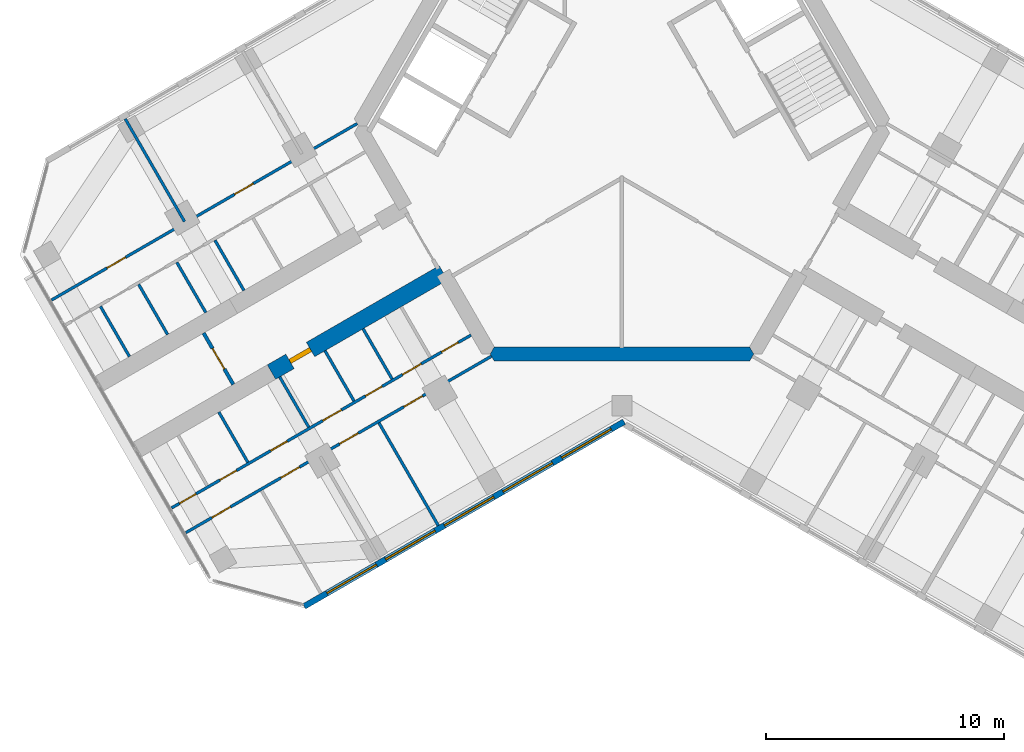
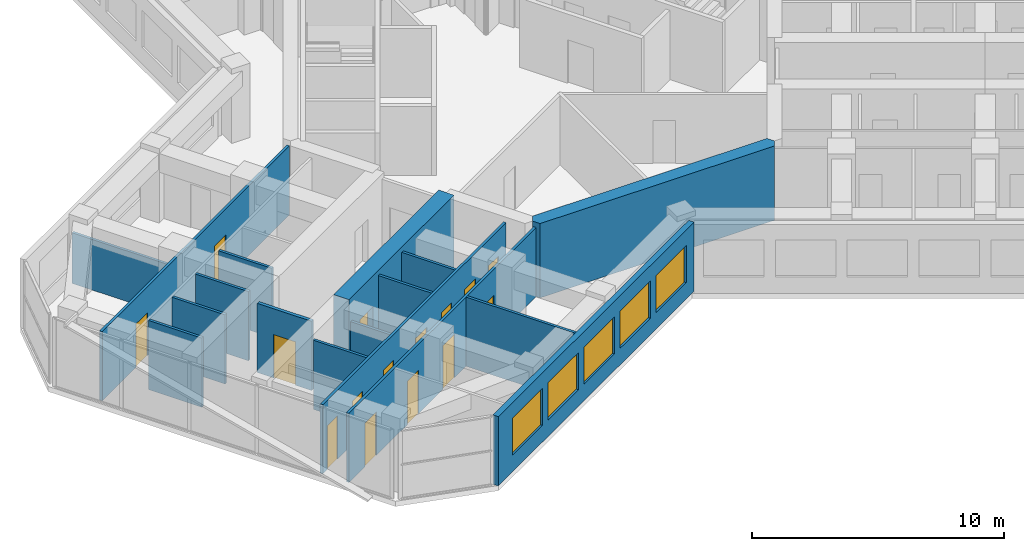
# One storey, part 8 of 16: 17 walls, 15 doors, 5 windows, 20 openings.
"""IFC4 building model written with IfcOpenShell, lengths in metres."""

from ifc_helpers import new_model, si_unit, direction, frame, frame_2d, origin, place, context, subcontext, project, spatial, polyline, rectangle, outline, extrude, material, layer, layer_set, type_object, element, fill, save


model = new_model("IFC4")

# Units and contexts
model_context = context("Model", 3, precision=1e-05, world=origin(), true_north=direction((0.0, 1.0)))
body_context = subcontext(model_context, "Body", "Model", "MODEL_VIEW")
ifc_project = project(units=[si_unit("LENGTHUNIT", "METRE"), si_unit("AREAUNIT", "SQUARE_METRE"), si_unit("VOLUMEUNIT", "CUBIC_METRE"), si_unit("PLANEANGLEUNIT", "RADIAN"), si_unit("MASSUNIT", "GRAM", prefix="KILO")], contexts=[model_context])

# Site, building, storey
site_placement = place(None, origin())
site = spatial("IfcSite", under=ifc_project, at=site_placement, CompositionType="ELEMENT")
building_placement = place(site_placement, origin())
building = spatial("IfcBuilding", under=site, at=building_placement, Name="Kosmar Iwan School Tower", CompositionType="ELEMENT")
storey_placement = place(building_placement, frame((0.0, 0.0, 235.199951171875)))
storey = spatial("IfcBuildingStorey", under=building, at=storey_placement, Name="L59", CompositionType="ELEMENT", Elevation=235.199951171875)

# Wall
ifc_material_1 = material(Name="Concrete C50/60", Category="concrete")
ifc_layer_1 = layer(ifc_material_1, 0.60009765625)
ifc_layer_set_1 = layer_set([ifc_layer_1], Name="Core wall 600")
wall_type_1 = type_object("IfcWallType", Name="Core wall 600", PredefinedType="SHEAR", material=ifc_layer_set_1)
wall_1_placement = place(storey_placement, origin())
element("IfcWall", 1, at=wall_1_placement, inside=storey, type_object=wall_type_1, Name="Core wall F270", PredefinedType="SHEAR", context=body_context, shape_type="SweptSolid", body=[
    extrude(outline(polyline([(-5.369384765625, -9.89990234375), (5.369384765625, -9.89990234375), (5.54248046875, -9.60009765625), (5.369384765625, -9.300048828125), (-5.369384765625, -9.300048828125), (-5.54248046875, -9.60009765625), (-5.369384765625, -9.89990234375)])), origin(), (0.0, 0.0, 1.0), 3.60009765625),
])

# Wall, opening, door
ifc_material_2 = material(Name="Concrete C50/60", Category="concrete")
ifc_layer_2 = layer(ifc_material_2, 0.699951171875)
ifc_layer_set_2 = layer_set([ifc_layer_2], Name="Corridor buttress wall 700")
wall_type_2 = type_object("IfcWallType", Name="Corridor buttress wall 700", PredefinedType="SHEAR", material=ifc_layer_set_2)
wall_2_placement = place(storey_placement, frame((-7.513916015625, -6.185546875, 0.0), z_axis=(0.0, 0.0, 1.0), x_axis=(-0.866019549707, -0.500010139422, 0.0)))
wall_2 = element("IfcWall", 2, at=wall_2_placement, inside=storey, type_object=wall_type_2, Name="Corridor wall BL", PredefinedType="SHEAR", context=body_context, shape_type="SweptSolid", body=[
    extrude(rectangle(XDim=8.349853515625, YDim=0.699951171875, at=frame_2d((4.1748046875, 0.0))), origin(), (0.0, 0.0, 1.0), 3.60009765625),
])
opening_1_placement = place(wall_2_placement, frame((6.449951171875, 0.0, 0.0)))
opening_1 = element("IfcOpeningElement", 3, at=opening_1_placement, cuts=wall_2, Name="Opening D1", PredefinedType="OPENING", context=body_context, shape_type="SweptSolid", body=[
    extrude(rectangle(XDim=1.0, YDim=2.10009765625, at=frame_2d((0.5, 1.050048828125))), frame((0.0, 0.362060546875, 0.0), z_axis=(0.0, -1.0, 0.0), x_axis=(1.0, 0.0, 0.0)), (0.0, 0.0, 1.0), 0.723876953125),
])
ifc_material_3 = material(Name="Timber fire door in steel frame", Category="steel")
door_type_1 = type_object("IfcDoorType", Name="Flat entrance door 1000x2100", OperationType="SINGLE_SWING_LEFT", PredefinedType="DOOR", material=ifc_material_3)
door_1_placement = place(opening_1_placement, origin())
door_1 = element("IfcDoor", 4, at=door_1_placement, inside=storey, type_object=door_type_1, Name="Flat L59-BL1 entrance door", OperationType="SINGLE_SWING_LEFT", OverallHeight=2.10009765625, OverallWidth=1.0, PredefinedType="DOOR", context=body_context, shape_type="SweptSolid", body=[
    extrude(rectangle(XDim=1.0, YDim=2.10009765625, at=frame_2d((0.5, 1.050048828125))), frame((0.0, 0.10009765625, 0.0), z_axis=(0.0, -1.0, 0.0), x_axis=(1.0, 0.0, 0.0)), (0.0, 0.0, 1.0), 0.199951171875),
])
fill(opening_1, door_1)

ifc_material_4 = material(Name="Gypsum board on steel studs, fire-rated", Category="steel")
ifc_layer_3 = layer(ifc_material_4, 0.14990234375)
ifc_layer_set_3 = layer_set([ifc_layer_3], Name="Corridor end wall 150")
wall_type_3 = type_object("IfcWallType", Name="Corridor end wall 150", PredefinedType="PARTITIONING", material=ifc_layer_set_3)
wall_3_placement = place(storey_placement, frame((-17.59912109375, -8.717529296875, 0.0), z_axis=(0.0, 0.0, 1.0), x_axis=(0.500004234368, -0.866022959057, 0.0)))
wall_3 = element("IfcWall", 5, at=wall_3_placement, inside=storey, type_object=wall_type_3, Name="Partition L59-B-CE", PredefinedType="PARTITIONING", context=body_context, shape_type="SweptSolid", body=[
    extrude(rectangle(XDim=2.5, YDim=0.14990234375, at=frame_2d((1.25, 0.0))), origin(), (0.0, 0.0, 1.0), 3.35009765625),
])
opening_2_placement = place(wall_3_placement, frame((0.75, 0.0, 0.0)))
opening_2 = element("IfcOpeningElement", 6, at=opening_2_placement, cuts=wall_3, Name="Opening D13", PredefinedType="OPENING", context=body_context, shape_type="SweptSolid", body=[
    extrude(rectangle(XDim=1.0, YDim=2.10009765625, at=frame_2d((0.5, 1.050048828125))), frame((0.0, 0.0869140625, 0.0), z_axis=(0.0, -1.0, 0.0), x_axis=(1.0, 0.0, 0.0)), (0.0, 0.0, 1.0), 0.173828125),
])
ifc_material_5 = material(Name="Timber fire door with vision panel", Category="wood")
door_type_2 = type_object("IfcDoorType", Name="Corridor end door 1000x2100", OperationType="SINGLE_SWING_LEFT", PredefinedType="DOOR", material=ifc_material_5)
door_2_placement = place(opening_2_placement, origin())
door_2 = element("IfcDoor", 7, at=door_2_placement, inside=storey, type_object=door_type_2, Name="Hobby workshop door L59-B", OperationType="SINGLE_SWING_RIGHT", OverallHeight=2.10009765625, OverallWidth=1.0, PredefinedType="DOOR", context=body_context, shape_type="SweptSolid", body=[
    extrude(rectangle(XDim=1.0, YDim=2.10009765625, at=frame_2d((0.5, 1.050048828125))), frame((0.0, 0.02490234375, 0.0), z_axis=(0.0, -1.0, 0.0), x_axis=(1.0, 0.0, 0.0)), (0.0, 0.0, 1.0), 0.050048828125),
])
fill(opening_2, door_2)

# Wall, openings, doors
ifc_material_6 = material(Name="Gypsum board on steel studs", Category="steel")
ifc_layer_4 = layer(ifc_material_6, 0.1201171875)
ifc_layer_set_4 = layer_set([ifc_layer_4], Name="Dwelling partition 120")
wall_type_4 = type_object("IfcWallType", Name="Dwelling partition 120", PredefinedType="PARTITIONING", material=ifc_layer_set_4)
wall_4_placement = place(storey_placement, frame((-6.3486328125, -8.8037109375, 0.0), z_axis=(0.0, 0.0, 1.0), x_axis=(-0.866020949409, -0.500007715126, 0.0)))
wall_4 = element("IfcWall", 8, at=wall_4_placement, inside=storey, type_object=wall_type_4, Name="Partition L59-BL1-W1", PredefinedType="PARTITIONING", context=body_context, shape_type="SweptSolid", body=[
    extrude(rectangle(XDim=14.545166015625, YDim=0.1201171875, at=frame_2d((7.2724609375, 0.0))), origin(), (0.0, 0.0, 1.0), 3.35009765625),
])
opening_3_placement = place(wall_4_placement, frame((0.625, 0.0, 0.0)))
opening_3 = element("IfcOpeningElement", 9, at=opening_3_placement, cuts=wall_4, Name="Opening D3", PredefinedType="OPENING", context=body_context, shape_type="SweptSolid", body=[
    extrude(rectangle(XDim=0.800048828125, YDim=2.10009765625, at=frame_2d((0.39990234375, 1.050048828125))), frame((0.0, 0.072021484375, 0.0), z_axis=(0.0, -1.0, 0.0), x_axis=(1.0, 0.0, 0.0)), (0.0, 0.0, 1.0), 0.14404296875),
])
opening_4_placement = place(wall_4_placement, frame((2.425048828125, 0.0, 0.0)))
opening_4 = element("IfcOpeningElement", 10, at=opening_4_placement, cuts=wall_4, Name="Opening D2", PredefinedType="OPENING", context=body_context, shape_type="SweptSolid", body=[
    extrude(rectangle(XDim=0.89990234375, YDim=2.10009765625, at=frame_2d((0.449951171875, 1.050048828125))), frame((0.0, 0.072021484375, 0.0), z_axis=(0.0, -1.0, 0.0), x_axis=(1.0, 0.0, 0.0)), (0.0, 0.0, 1.0), 0.14404296875),
])
opening_5_placement = place(wall_4_placement, frame((4.324951171875, 0.0, 0.0)))
opening_5 = element("IfcOpeningElement", 11, at=opening_5_placement, cuts=wall_4, Name="Opening D3", PredefinedType="OPENING", context=body_context, shape_type="SweptSolid", body=[
    extrude(rectangle(XDim=0.800048828125, YDim=2.10009765625, at=frame_2d((0.39990234375, 1.050048828125))), frame((0.0, 0.072021484375, 0.0), z_axis=(0.0, -1.0, 0.0), x_axis=(1.0, 0.0, 0.0)), (0.0, 0.0, 1.0), 0.14404296875),
])
opening_6_placement = place(wall_4_placement, frame((6.300048828125, 0.0, 0.0)))
opening_6 = element("IfcOpeningElement", 12, at=opening_6_placement, cuts=wall_4, Name="Opening D2", PredefinedType="OPENING", context=body_context, shape_type="SweptSolid", body=[
    extrude(rectangle(XDim=0.89990234375, YDim=2.10009765625, at=frame_2d((0.449951171875, 1.050048828125))), frame((0.0, 0.072021484375, 0.0), z_axis=(0.0, -1.0, 0.0), x_axis=(1.0, 0.0, 0.0)), (0.0, 0.0, 1.0), 0.14404296875),
])
opening_7_placement = place(wall_4_placement, frame((8.928466796875, 0.0, 0.0)))
opening_7 = element("IfcOpeningElement", 13, at=opening_7_placement, cuts=wall_4, Name="Opening D3", PredefinedType="OPENING", context=body_context, shape_type="SweptSolid", body=[
    extrude(rectangle(XDim=0.800048828125, YDim=2.10009765625, at=frame_2d((0.39990234375, 1.050048828125))), frame((0.0, 0.072021484375, 0.0), z_axis=(0.0, -1.0, 0.0), x_axis=(1.0, 0.0, 0.0)), (0.0, 0.0, 1.0), 0.14404296875),
])
opening_8_placement = place(wall_4_placement, frame((11.392822265625, 0.0, 0.0)))
opening_8 = element("IfcOpeningElement", 14, at=opening_8_placement, cuts=wall_4, Name="Opening D3", PredefinedType="OPENING", context=body_context, shape_type="SweptSolid", body=[
    extrude(rectangle(XDim=0.800048828125, YDim=2.10009765625, at=frame_2d((0.39990234375, 1.050048828125))), frame((0.0, 0.072021484375, 0.0), z_axis=(0.0, -1.0, 0.0), x_axis=(1.0, 0.0, 0.0)), (0.0, 0.0, 1.0), 0.14404296875),
])
opening_9_placement = place(wall_4_placement, frame((13.3642578125, 0.0, 0.0)))
opening_9 = element("IfcOpeningElement", 15, at=opening_9_placement, cuts=wall_4, Name="Opening D3", PredefinedType="OPENING", context=body_context, shape_type="SweptSolid", body=[
    extrude(rectangle(XDim=0.800048828125, YDim=2.10009765625, at=frame_2d((0.39990234375, 1.050048828125))), frame((0.0, 0.072021484375, 0.0), z_axis=(0.0, -1.0, 0.0), x_axis=(1.0, 0.0, 0.0)), (0.0, 0.0, 1.0), 0.14404296875),
])
ifc_material_7 = material(Name="Timber door in timber frame", Category="wood")
door_type_3 = type_object("IfcDoorType", Name="Internal door 900x2100", OperationType="SINGLE_SWING_LEFT", PredefinedType="DOOR", material=ifc_material_7)
door_3_placement = place(opening_4_placement, origin())
door_3 = element("IfcDoor", 16, at=door_3_placement, inside=storey, type_object=door_type_3, Name="Pantry door L59-BL1-S2", OperationType="SINGLE_SWING_RIGHT", OverallHeight=2.10009765625, OverallWidth=0.89990234375, PredefinedType="DOOR", context=body_context, shape_type="SweptSolid", body=[
    extrude(rectangle(XDim=0.89990234375, YDim=2.10009765625, at=frame_2d((0.449951171875, 1.050048828125))), frame((0.0, 0.02490234375, 0.0), z_axis=(0.0, -1.0, 0.0), x_axis=(1.0, 0.0, 0.0)), (0.0, 0.0, 1.0), 0.050048828125),
])
fill(opening_4, door_3)
door_4_placement = place(opening_6_placement, origin())
door_4 = element("IfcDoor", 17, at=door_4_placement, inside=storey, type_object=door_type_3, Name="Entrance hall door L59-BL1-S4", OperationType="SINGLE_SWING_LEFT", OverallHeight=2.10009765625, OverallWidth=0.89990234375, PredefinedType="DOOR", context=body_context, shape_type="SweptSolid", body=[
    extrude(rectangle(XDim=0.89990234375, YDim=2.10009765625, at=frame_2d((0.449951171875, 1.050048828125))), frame((0.0, 0.02490234375, 0.0), z_axis=(0.0, -1.0, 0.0), x_axis=(1.0, 0.0, 0.0)), (0.0, 0.0, 1.0), 0.050048828125),
])
fill(opening_6, door_4)
ifc_material_8 = material(Name="Timber door in timber frame", Category="wood")
door_type_4 = type_object("IfcDoorType", Name="Sanitary room door 800x2100", OperationType="SINGLE_SWING_LEFT", PredefinedType="DOOR", material=ifc_material_8)
door_5_placement = place(opening_3_placement, origin())
door_5 = element("IfcDoor", 18, at=door_5_placement, inside=storey, type_object=door_type_4, Name="Store door L59-BL1-S1", OperationType="SINGLE_SWING_LEFT", OverallHeight=2.10009765625, OverallWidth=0.800048828125, PredefinedType="DOOR", context=body_context, shape_type="SweptSolid", body=[
    extrude(rectangle(XDim=0.800048828125, YDim=2.10009765625, at=frame_2d((0.39990234375, 1.050048828125))), frame((0.0, 0.02490234375, 0.0), z_axis=(0.0, -1.0, 0.0), x_axis=(1.0, 0.0, 0.0)), (0.0, 0.0, 1.0), 0.050048828125),
])
fill(opening_3, door_5)
door_6_placement = place(opening_5_placement, origin())
door_6 = element("IfcDoor", 19, at=door_6_placement, inside=storey, type_object=door_type_4, Name="Grandparents' shower room door L59-BL1-S3", OperationType="SINGLE_SWING_LEFT", OverallHeight=2.10009765625, OverallWidth=0.800048828125, PredefinedType="DOOR", context=body_context, shape_type="SweptSolid", body=[
    extrude(rectangle(XDim=0.800048828125, YDim=2.10009765625, at=frame_2d((0.39990234375, 1.050048828125))), frame((0.0, 0.02490234375, 0.0), z_axis=(0.0, -1.0, 0.0), x_axis=(1.0, 0.0, 0.0)), (0.0, 0.0, 1.0), 0.050048828125),
])
fill(opening_5, door_6)
door_7_placement = place(opening_7_placement, origin())
door_7 = element("IfcDoor", 20, at=door_7_placement, inside=storey, type_object=door_type_4, Name="Bathroom door L59-BL1-S5", OperationType="SINGLE_SWING_RIGHT", OverallHeight=2.10009765625, OverallWidth=0.800048828125, PredefinedType="DOOR", context=body_context, shape_type="SweptSolid", body=[
    extrude(rectangle(XDim=0.800048828125, YDim=2.10009765625, at=frame_2d((0.39990234375, 1.050048828125))), frame((0.0, 0.02490234375, 0.0), z_axis=(0.0, -1.0, 0.0), x_axis=(1.0, 0.0, 0.0)), (0.0, 0.0, 1.0), 0.050048828125),
])
fill(opening_7, door_7)
door_8_placement = place(opening_8_placement, origin())
door_8 = element("IfcDoor", 21, at=door_8_placement, inside=storey, type_object=door_type_4, Name="Shower room door L59-BL1-S6", OperationType="SINGLE_SWING_RIGHT", OverallHeight=2.10009765625, OverallWidth=0.800048828125, PredefinedType="DOOR", context=body_context, shape_type="SweptSolid", body=[
    extrude(rectangle(XDim=0.800048828125, YDim=2.10009765625, at=frame_2d((0.39990234375, 1.050048828125))), frame((0.0, 0.02490234375, 0.0), z_axis=(0.0, -1.0, 0.0), x_axis=(1.0, 0.0, 0.0)), (0.0, 0.0, 1.0), 0.050048828125),
])
fill(opening_8, door_8)
door_9_placement = place(opening_9_placement, origin())
door_9 = element("IfcDoor", 22, at=door_9_placement, inside=storey, type_object=door_type_4, Name="WC door L59-BL1-S7", OperationType="SINGLE_SWING_RIGHT", OverallHeight=2.10009765625, OverallWidth=0.800048828125, PredefinedType="DOOR", context=body_context, shape_type="SweptSolid", body=[
    extrude(rectangle(XDim=0.800048828125, YDim=2.10009765625, at=frame_2d((0.39990234375, 1.050048828125))), frame((0.0, 0.02490234375, 0.0), z_axis=(0.0, -1.0, 0.0), x_axis=(1.0, 0.0, 0.0)), (0.0, 0.0, 1.0), 0.050048828125),
])
fill(opening_9, door_9)

wall_5_placement = place(storey_placement, frame((-5.48876953125, -9.693115234375, 0.0), z_axis=(0.0, 0.0, 1.0), x_axis=(-0.866030301974, -0.499991515992, 0.0)))
wall_5 = element("IfcWall", 23, at=wall_5_placement, inside=storey, type_object=wall_type_4, Name="Partition L59-BL1-W2", PredefinedType="PARTITIONING", context=body_context, shape_type="SweptSolid", body=[
    extrude(rectangle(XDim=14.844970703125, YDim=0.1201171875, at=frame_2d((7.42236328125, 0.0))), origin(), (0.0, 0.0, 1.0), 3.35009765625),
])
opening_10_placement = place(wall_5_placement, frame((3.35009765625, 0.0, 0.0)))
opening_10 = element("IfcOpeningElement", 24, at=opening_10_placement, cuts=wall_5, Name="Opening D2", PredefinedType="OPENING", context=body_context, shape_type="SweptSolid", body=[
    extrude(rectangle(XDim=0.89990234375, YDim=2.10009765625, at=frame_2d((0.449951171875, 1.050048828125))), frame((0.0, 0.072021484375, 0.0), z_axis=(0.0, -1.0, 0.0), x_axis=(1.0, 0.0, 0.0)), (0.0, 0.0, 1.0), 0.14404296875),
])
opening_11_placement = place(wall_5_placement, frame((6.47509765625, 0.0, 0.0)))
opening_11 = element("IfcOpeningElement", 25, at=opening_11_placement, cuts=wall_5, Name="Opening D2", PredefinedType="OPENING", context=body_context, shape_type="SweptSolid", body=[
    extrude(rectangle(XDim=0.89990234375, YDim=2.10009765625, at=frame_2d((0.449951171875, 1.050048828125))), frame((0.0, 0.072021484375, 0.0), z_axis=(0.0, -1.0, 0.0), x_axis=(1.0, 0.0, 0.0)), (0.0, 0.0, 1.0), 0.14404296875),
])
opening_12_placement = place(wall_5_placement, frame((9.324951171875, 0.0, 0.0)))
opening_12 = element("IfcOpeningElement", 26, at=opening_12_placement, cuts=wall_5, Name="Opening D2", PredefinedType="OPENING", context=body_context, shape_type="SweptSolid", body=[
    extrude(rectangle(XDim=0.89990234375, YDim=2.10009765625, at=frame_2d((0.449951171875, 1.050048828125))), frame((0.0, 0.072021484375, 0.0), z_axis=(0.0, -1.0, 0.0), x_axis=(1.0, 0.0, 0.0)), (0.0, 0.0, 1.0), 0.14404296875),
])
opening_13_placement = place(wall_5_placement, frame((12.675048828125, 0.0, 0.0)))
opening_13 = element("IfcOpeningElement", 27, at=opening_13_placement, cuts=wall_5, Name="Opening D2", PredefinedType="OPENING", context=body_context, shape_type="SweptSolid", body=[
    extrude(rectangle(XDim=0.89990234375, YDim=2.10009765625, at=frame_2d((0.449951171875, 1.050048828125))), frame((0.0, 0.072021484375, 0.0), z_axis=(0.0, -1.0, 0.0), x_axis=(1.0, 0.0, 0.0)), (0.0, 0.0, 1.0), 0.14404296875),
])
door_10_placement = place(opening_10_placement, origin())
door_10 = element("IfcDoor", 28, at=door_10_placement, inside=storey, type_object=door_type_3, Name="Living room and kitchen door L59-BL1-F1", OperationType="SINGLE_SWING_RIGHT", OverallHeight=2.10009765625, OverallWidth=0.89990234375, PredefinedType="DOOR", context=body_context, shape_type="SweptSolid", body=[
    extrude(rectangle(XDim=0.89990234375, YDim=2.10009765625, at=frame_2d((0.449951171875, 1.050048828125))), frame((0.0, 0.02490234375, 0.0), z_axis=(0.0, -1.0, 0.0), x_axis=(1.0, 0.0, 0.0)), (0.0, 0.0, 1.0), 0.050048828125),
])
fill(opening_10, door_10)
door_11_placement = place(opening_11_placement, origin())
door_11 = element("IfcDoor", 29, at=door_11_placement, inside=storey, type_object=door_type_3, Name="Bedroom 1 door L59-BL1-F2", OperationType="SINGLE_SWING_LEFT", OverallHeight=2.10009765625, OverallWidth=0.89990234375, PredefinedType="DOOR", context=body_context, shape_type="SweptSolid", body=[
    extrude(rectangle(XDim=0.89990234375, YDim=2.10009765625, at=frame_2d((0.449951171875, 1.050048828125))), frame((0.0, 0.02490234375, 0.0), z_axis=(0.0, -1.0, 0.0), x_axis=(1.0, 0.0, 0.0)), (0.0, 0.0, 1.0), 0.050048828125),
])
fill(opening_11, door_11)
door_12_placement = place(opening_12_placement, origin())
door_12 = element("IfcDoor", 30, at=door_12_placement, inside=storey, type_object=door_type_3, Name="Grandparents' suite door L59-BL1-F3", OperationType="SINGLE_SWING_RIGHT", OverallHeight=2.10009765625, OverallWidth=0.89990234375, PredefinedType="DOOR", context=body_context, shape_type="SweptSolid", body=[
    extrude(rectangle(XDim=0.89990234375, YDim=2.10009765625, at=frame_2d((0.449951171875, 1.050048828125))), frame((0.0, 0.02490234375, 0.0), z_axis=(0.0, -1.0, 0.0), x_axis=(1.0, 0.0, 0.0)), (0.0, 0.0, 1.0), 0.050048828125),
])
fill(opening_12, door_12)
door_13_placement = place(opening_13_placement, origin())
door_13 = element("IfcDoor", 31, at=door_13_placement, inside=storey, type_object=door_type_3, Name="Study door L59-BL1-F4", OperationType="SINGLE_SWING_RIGHT", OverallHeight=2.10009765625, OverallWidth=0.89990234375, PredefinedType="DOOR", context=body_context, shape_type="SweptSolid", body=[
    extrude(rectangle(XDim=0.89990234375, YDim=2.10009765625, at=frame_2d((0.449951171875, 1.050048828125))), frame((0.0, 0.02490234375, 0.0), z_axis=(0.0, -1.0, 0.0), x_axis=(1.0, 0.0, 0.0)), (0.0, 0.0, 1.0), 0.050048828125),
])
fill(opening_13, door_13)

# Walls
wall_6_placement = place(storey_placement, frame((-10.221923828125, -12.4951171875, 0.0), z_axis=(0.0, 0.0, 1.0), x_axis=(0.499996339024, -0.86602751744, 0.0)))
element("IfcWall", 32, at=wall_6_placement, inside=storey, type_object=wall_type_4, Name="Partition L59-BL1-X1", PredefinedType="PARTITIONING", context=body_context, shape_type="SweptSolid", body=[
    extrude(rectangle(XDim=4.98974609375, YDim=0.1201171875, at=frame_2d((2.494873046875, 0.0))), origin(), (0.0, 0.0, 1.0), 3.35009765625),
])
wall_7_placement = place(storey_placement, frame((-10.8896484375, -8.538818359375, 0.0), z_axis=(0.0, 0.0, 1.0), x_axis=(0.500077547548, -0.865980627057, 0.0)))
element("IfcWall", 33, at=wall_7_placement, inside=storey, type_object=wall_type_4, Name="Partition L59-BL1-Y2", PredefinedType="PARTITIONING", context=body_context, shape_type="SweptSolid", body=[
    extrude(rectangle(XDim=2.43994140625, YDim=0.1201171875, at=frame_2d((1.219970703125, 0.0))), origin(), (0.0, 0.0, 1.0), 3.35009765625),
])
wall_8_placement = place(storey_placement, frame((-12.49169921875, -9.463623046875, 0.0), z_axis=(0.0, 0.0, 1.0), x_axis=(0.499959183527, -0.866048967903, 0.0)))
element("IfcWall", 34, at=wall_8_placement, inside=storey, type_object=wall_type_4, Name="Partition L59-BL1-Y3", PredefinedType="PARTITIONING", context=body_context, shape_type="SweptSolid", body=[
    extrude(rectangle(XDim=2.440185546875, YDim=0.1201171875, at=frame_2d((1.22021484375, 0.0))), origin(), (0.0, 0.0, 1.0), 3.35009765625),
])
wall_9_placement = place(storey_placement, frame((-14.39697265625, -10.563720703125, 0.0), z_axis=(0.0, 0.0, 1.0), x_axis=(0.500002508028, -0.866023955769, 0.0)))
element("IfcWall", 35, at=wall_9_placement, inside=storey, type_object=wall_type_4, Name="Partition L59-BL1-Y4", PredefinedType="PARTITIONING", context=body_context, shape_type="SweptSolid", body=[
    extrude(rectangle(XDim=2.43994140625, YDim=0.1201171875, at=frame_2d((1.219970703125, 0.0))), origin(), (0.0, 0.0, 1.0), 2.449951171875),
])
wall_10_placement = place(storey_placement, frame((-16.9580078125, -12.042236328125, 0.0), z_axis=(0.0, 0.0, 1.0), x_axis=(0.500034220881, -0.866005645448, 0.0)))
element("IfcWall", 36, at=wall_10_placement, inside=storey, type_object=wall_type_4, Name="Partition L59-BL1-Y5", PredefinedType="PARTITIONING", context=body_context, shape_type="SweptSolid", body=[
    extrude(rectangle(XDim=2.440185546875, YDim=0.1201171875, at=frame_2d((1.22021484375, 0.0))), origin(), (0.0, 0.0, 1.0), 3.35009765625),
])

# Wall, openings, doors
wall_11_placement = place(storey_placement, frame((-11.138916015625, 0.093017578125, 0.0), z_axis=(0.0, 0.0, 1.0), x_axis=(-0.866030301974, -0.499991515992, 0.0)))
wall_11 = element("IfcWall", 37, at=wall_11_placement, inside=storey, type_object=wall_type_4, Name="Partition L59-BR1-W2", PredefinedType="PARTITIONING", context=body_context, shape_type="SweptSolid", body=[
    extrude(rectangle(XDim=14.844970703125, YDim=0.1201171875, at=frame_2d((7.42236328125, 0.0))), origin(), (0.0, 0.0, 1.0), 3.35009765625),
])
opening_14_placement = place(wall_11_placement, frame((5.050048828125, 0.0, 0.0)))
opening_14 = element("IfcOpeningElement", 38, at=opening_14_placement, cuts=wall_11, Name="Opening D2", PredefinedType="OPENING", context=body_context, shape_type="SweptSolid", body=[
    extrude(rectangle(XDim=0.89990234375, YDim=2.10009765625, at=frame_2d((0.449951171875, 1.050048828125))), frame((0.0, 0.072021484375, 0.0), z_axis=(0.0, -1.0, 0.0), x_axis=(1.0, 0.0, 0.0)), (0.0, 0.0, 1.0), 0.14404296875),
])
opening_15_placement = place(wall_11_placement, frame((11.25, 0.0, 0.0)))
opening_15 = element("IfcOpeningElement", 39, at=opening_15_placement, cuts=wall_11, Name="Opening D2", PredefinedType="OPENING", context=body_context, shape_type="SweptSolid", body=[
    extrude(rectangle(XDim=0.89990234375, YDim=2.10009765625, at=frame_2d((0.449951171875, 1.050048828125))), frame((0.0, 0.072021484375, 0.0), z_axis=(0.0, -1.0, 0.0), x_axis=(1.0, 0.0, 0.0)), (0.0, 0.0, 1.0), 0.14404296875),
])
door_14_placement = place(opening_14_placement, origin())
door_14 = element("IfcDoor", 40, at=door_14_placement, inside=storey, type_object=door_type_3, Name="Family room door L59-BR1-F2", OperationType="SINGLE_SWING_LEFT", OverallHeight=2.10009765625, OverallWidth=0.89990234375, PredefinedType="DOOR", context=body_context, shape_type="SweptSolid", body=[
    extrude(rectangle(XDim=0.89990234375, YDim=2.10009765625, at=frame_2d((0.449951171875, 1.050048828125))), frame((0.0, 0.02490234375, 0.0), z_axis=(0.0, -1.0, 0.0), x_axis=(1.0, 0.0, 0.0)), (0.0, 0.0, 1.0), 0.050048828125),
])
fill(opening_14, door_14)
door_15_placement = place(opening_15_placement, origin())
door_15 = element("IfcDoor", 41, at=door_15_placement, inside=storey, type_object=door_type_3, Name="Bedroom 1 door L59-BR1-F3", OperationType="SINGLE_SWING_RIGHT", OverallHeight=2.10009765625, OverallWidth=0.89990234375, PredefinedType="DOOR", context=body_context, shape_type="SweptSolid", body=[
    extrude(rectangle(XDim=0.89990234375, YDim=2.10009765625, at=frame_2d((0.449951171875, 1.050048828125))), frame((0.0, 0.02490234375, 0.0), z_axis=(0.0, -1.0, 0.0), x_axis=(1.0, 0.0, 0.0)), (0.0, 0.0, 1.0), 0.050048828125),
])
fill(opening_15, door_15)

# Walls
wall_12_placement = place(storey_placement, frame((-18.400146484375, -4.030029296875, 0.0), z_axis=(0.0, 0.0, 1.0), x_axis=(-0.500011847778, 0.866018563358, 0.0)))
element("IfcWall", 42, at=wall_12_placement, inside=storey, type_object=wall_type_4, Name="Partition L59-BR1-X2", PredefinedType="PARTITIONING", context=body_context, shape_type="SweptSolid", body=[
    extrude(rectangle(XDim=4.990234375, YDim=0.1201171875, at=frame_2d((2.4951171875, 0.0))), origin(), (0.0, 0.0, 1.0), 2.449951171875),
])
for number, where, z_axis, x_axis, name in (
    (43, (-15.900634765625, -6.928466796875, 0.0), (0.0, 0.0, 1.0), (-0.500002508028, 0.866023955769, 0.0), "Partition L59-BR1-Y3"),
    (44, (-17.506103515625, -7.85546875, 0.0), (0.0, 0.0, 1.0), (-0.500002508028, 0.866023955769, 0.0), "Partition L59-BR1-Y4"),
):
    element("IfcWall", number, at=place(storey_placement, frame(where, z_axis=z_axis, x_axis=x_axis)), inside=storey, type_object=wall_type_4, Name=name, PredefinedType="PARTITIONING", context=body_context, shape_type="SweptSolid", body=[
        extrude(rectangle(XDim=2.43994140625, YDim=0.1201171875, at=frame_2d((1.219970703125, 0.0))), origin(), (0.0, 0.0, 1.0), 3.35009765625),
    ])
wall_13_placement = place(storey_placement, frame((-19.111572265625, -8.782470703125, 0.0), z_axis=(0.0, 0.0, 1.0), x_axis=(-0.499959183527, 0.866048967903, 0.0)))
element("IfcWall", 45, at=wall_13_placement, inside=storey, type_object=wall_type_4, Name="Partition L59-BR1-Y5", PredefinedType="PARTITIONING", context=body_context, shape_type="SweptSolid", body=[
    extrude(rectangle(XDim=2.440185546875, YDim=0.1201171875, at=frame_2d((1.22021484375, 0.0))), origin(), (0.0, 0.0, 1.0), 3.35009765625),
])
wall_14_placement = place(storey_placement, frame((-20.717041015625, -9.709228515625, 0.0), z_axis=(0.0, 0.0, 1.0), x_axis=(-0.500002508028, 0.866023955769, 0.0)))
element("IfcWall", 46, at=wall_14_placement, inside=storey, type_object=wall_type_4, Name="Partition L59-BR1-Y6", PredefinedType="PARTITIONING", context=body_context, shape_type="SweptSolid", body=[
    extrude(rectangle(XDim=2.43994140625, YDim=0.1201171875, at=frame_2d((1.219970703125, 0.0))), origin(), (0.0, 0.0, 1.0), 3.35009765625),
])

# Wall, openings, windows
ifc_material_9 = material(Name="Black aluminium rainscreen on insulated framing", Category="aluminium")
ifc_layer_5 = layer(ifc_material_9, 0.25)
ifc_layer_set_5 = layer_set([ifc_layer_5], Name="External wall rainscreen 250")
wall_type_5 = type_object("IfcWallType", Name="External wall rainscreen 250", PredefinedType="SOLIDWALL", material=ifc_layer_set_5)
wall_15_placement = place(storey_placement, frame((0.088134765625, -12.44873046875, 0.0), z_axis=(0.0, 0.0, 1.0), x_axis=(-0.866029894971, -0.499992220956, 0.0)))
wall_15 = element("IfcWall", 47, at=wall_15_placement, inside=storey, type_object=wall_type_5, Name="External wall BL L59", PredefinedType="SOLIDWALL", context=body_context, shape_type="SweptSolid", body=[
    extrude(rectangle(XDim=15.537353515625, YDim=0.25, at=frame_2d((7.7685546875, 0.0))), origin(), (0.0, 0.0, 1.0), 3.35009765625),
])
opening_16_placement = place(wall_15_placement, frame((0.626953125, 0.0, 0.800048828125)))
opening_16 = element("IfcOpeningElement", 48, at=opening_16_placement, cuts=wall_15, Name="Opening W5", PredefinedType="OPENING", context=body_context, shape_type="SweptSolid", body=[
    extrude(rectangle(XDim=2.39990234375, YDim=1.800048828125, at=frame_2d((1.199951171875, 0.89990234375))), frame((0.0, 0.136962890625, 0.0), z_axis=(0.0, -1.0, 0.0), x_axis=(1.0, 0.0, 0.0)), (0.0, 0.0, 1.0), 0.27392578125),
])
opening_17_placement = place(wall_15_placement, frame((3.47705078125, 0.0, 0.800048828125)))
opening_17 = element("IfcOpeningElement", 49, at=opening_17_placement, cuts=wall_15, Name="Opening W5", PredefinedType="OPENING", context=body_context, shape_type="SweptSolid", body=[
    extrude(rectangle(XDim=2.39990234375, YDim=1.800048828125, at=frame_2d((1.199951171875, 0.89990234375))), frame((0.0, 0.136962890625, 0.0), z_axis=(0.0, -1.0, 0.0), x_axis=(1.0, 0.0, 0.0)), (0.0, 0.0, 1.0), 0.27392578125),
])
opening_18_placement = place(wall_15_placement, frame((6.326904296875, 0.0, 0.800048828125)))
opening_18 = element("IfcOpeningElement", 50, at=opening_18_placement, cuts=wall_15, Name="Opening W5", PredefinedType="OPENING", context=body_context, shape_type="SweptSolid", body=[
    extrude(rectangle(XDim=2.39990234375, YDim=1.800048828125, at=frame_2d((1.199951171875, 0.89990234375))), frame((0.0, 0.136962890625, 0.0), z_axis=(0.0, -1.0, 0.0), x_axis=(1.0, 0.0, 0.0)), (0.0, 0.0, 1.0), 0.27392578125),
])
opening_19_placement = place(wall_15_placement, frame((9.177001953125, 0.0, 0.800048828125)))
opening_19 = element("IfcOpeningElement", 51, at=opening_19_placement, cuts=wall_15, Name="Opening W5", PredefinedType="OPENING", context=body_context, shape_type="SweptSolid", body=[
    extrude(rectangle(XDim=2.39990234375, YDim=1.800048828125, at=frame_2d((1.199951171875, 0.89990234375))), frame((0.0, 0.136962890625, 0.0), z_axis=(0.0, -1.0, 0.0), x_axis=(1.0, 0.0, 0.0)), (0.0, 0.0, 1.0), 0.27392578125),
])
opening_20_placement = place(wall_15_placement, frame((12.027099609375, 0.0, 0.800048828125)))
opening_20 = element("IfcOpeningElement", 52, at=opening_20_placement, cuts=wall_15, Name="Opening W5", PredefinedType="OPENING", context=body_context, shape_type="SweptSolid", body=[
    extrude(rectangle(XDim=2.39990234375, YDim=1.800048828125, at=frame_2d((1.199951171875, 0.89990234375))), frame((0.0, 0.136962890625, 0.0), z_axis=(0.0, -1.0, 0.0), x_axis=(1.0, 0.0, 0.0)), (0.0, 0.0, 1.0), 0.27392578125),
])
ifc_material_10 = material(Name="Black aluminium frame with dark triple glazing", Category="aluminium")
window_type = type_object("IfcWindowType", Name="Window 2400x1800", PartitioningType="SINGLE_PANEL", PredefinedType="WINDOW", material=ifc_material_10)
window_1_placement = place(opening_16_placement, origin())
window_1 = element("IfcWindow", 53, at=window_1_placement, inside=storey, type_object=window_type, Name="Window BL L59 -1", OverallHeight=1.800048828125, OverallWidth=2.39990234375, PartitioningType="SINGLE_PANEL", PredefinedType="WINDOW", context=body_context, shape_type="SweptSolid", body=[
    extrude(rectangle(XDim=2.39990234375, YDim=1.800048828125, at=frame_2d((1.199951171875, 0.89990234375))), frame((0.0, 0.030029296875, 0.0), z_axis=(0.0, -1.0, 0.0), x_axis=(1.0, 0.0, 0.0)), (0.0, 0.0, 1.0), 0.06005859375),
])
fill(opening_16, window_1)
window_2_placement = place(opening_17_placement, origin())
window_2 = element("IfcWindow", 54, at=window_2_placement, inside=storey, type_object=window_type, Name="Window BL L59 0", OverallHeight=1.800048828125, OverallWidth=2.39990234375, PartitioningType="SINGLE_PANEL", PredefinedType="WINDOW", context=body_context, shape_type="SweptSolid", body=[
    extrude(rectangle(XDim=2.39990234375, YDim=1.800048828125, at=frame_2d((1.199951171875, 0.89990234375))), frame((0.0, 0.030029296875, 0.0), z_axis=(0.0, -1.0, 0.0), x_axis=(1.0, 0.0, 0.0)), (0.0, 0.0, 1.0), 0.06005859375),
])
fill(opening_17, window_2)
window_3_placement = place(opening_18_placement, origin())
window_3 = element("IfcWindow", 55, at=window_3_placement, inside=storey, type_object=window_type, Name="Window BL L59 1", OverallHeight=1.800048828125, OverallWidth=2.39990234375, PartitioningType="SINGLE_PANEL", PredefinedType="WINDOW", context=body_context, shape_type="SweptSolid", body=[
    extrude(rectangle(XDim=2.39990234375, YDim=1.800048828125, at=frame_2d((1.199951171875, 0.89990234375))), frame((0.0, 0.030029296875, 0.0), z_axis=(0.0, -1.0, 0.0), x_axis=(1.0, 0.0, 0.0)), (0.0, 0.0, 1.0), 0.06005859375),
])
fill(opening_18, window_3)
window_4_placement = place(opening_19_placement, origin())
window_4 = element("IfcWindow", 56, at=window_4_placement, inside=storey, type_object=window_type, Name="Window BL L59 2", OverallHeight=1.800048828125, OverallWidth=2.39990234375, PartitioningType="SINGLE_PANEL", PredefinedType="WINDOW", context=body_context, shape_type="SweptSolid", body=[
    extrude(rectangle(XDim=2.39990234375, YDim=1.800048828125, at=frame_2d((1.199951171875, 0.89990234375))), frame((0.0, 0.030029296875, 0.0), z_axis=(0.0, -1.0, 0.0), x_axis=(1.0, 0.0, 0.0)), (0.0, 0.0, 1.0), 0.06005859375),
])
fill(opening_19, window_4)
window_5_placement = place(opening_20_placement, origin())
window_5 = element("IfcWindow", 57, at=window_5_placement, inside=storey, type_object=window_type, Name="Window BL L59 3", OverallHeight=1.800048828125, OverallWidth=2.39990234375, PartitioningType="SINGLE_PANEL", PredefinedType="WINDOW", context=body_context, shape_type="SweptSolid", body=[
    extrude(rectangle(XDim=2.39990234375, YDim=1.800048828125, at=frame_2d((1.199951171875, 0.89990234375))), frame((0.0, 0.030029296875, 0.0), z_axis=(0.0, -1.0, 0.0), x_axis=(1.0, 0.0, 0.0)), (0.0, 0.0, 1.0), 0.06005859375),
])
fill(opening_20, window_5)

save(model, "model.ifc")
